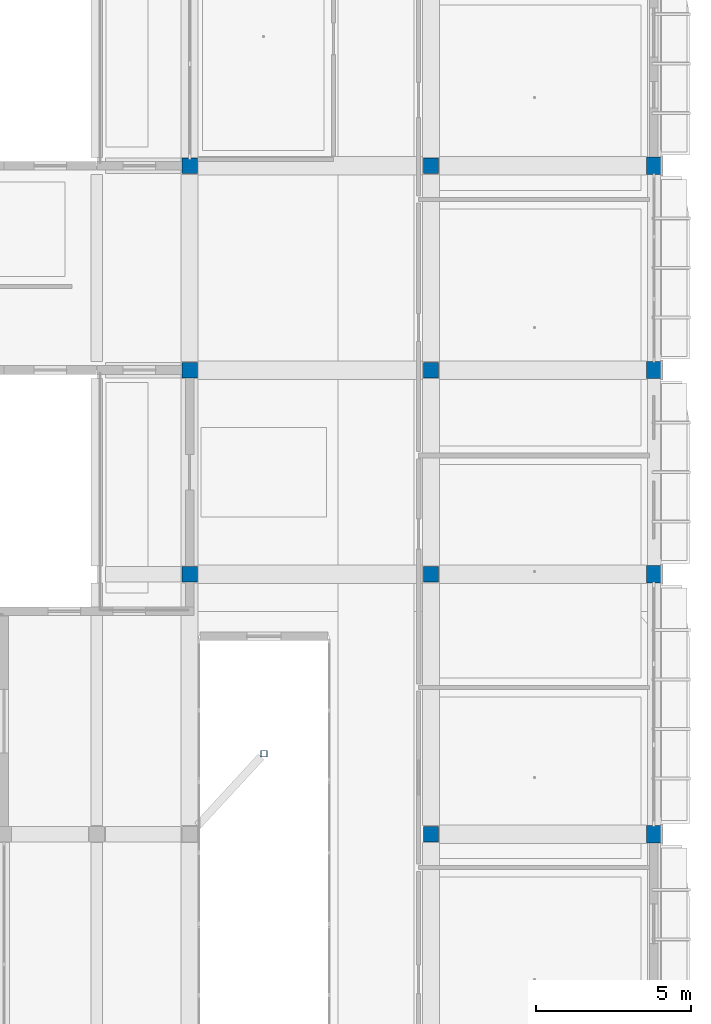
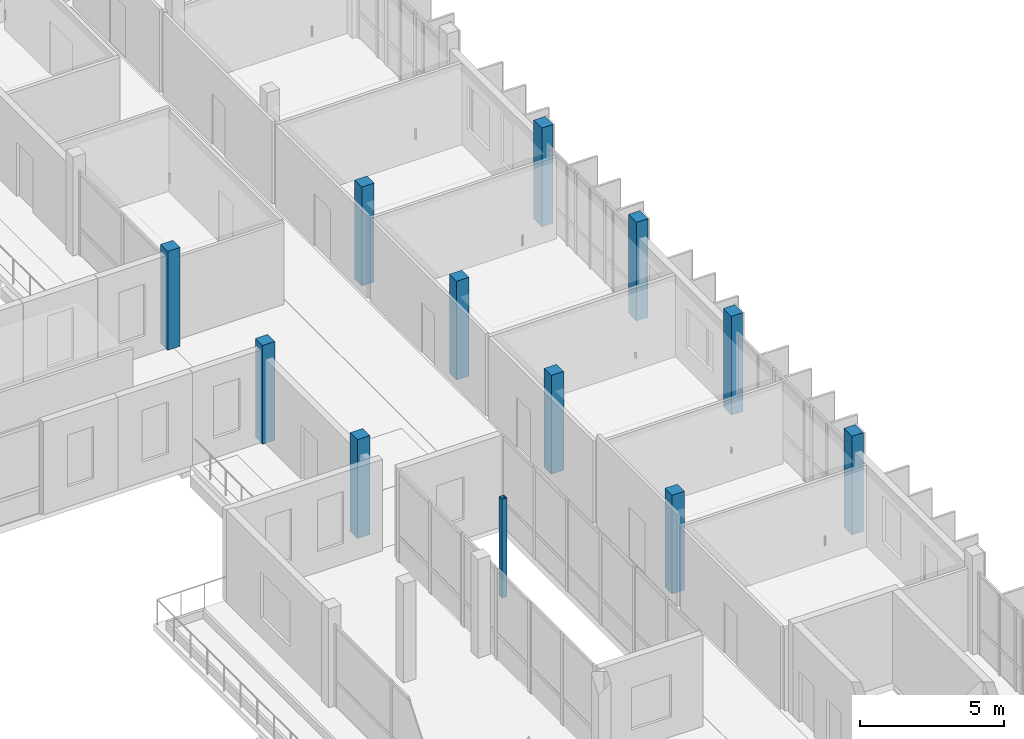
# One storey, part 5 of 85: 12 columns.
"""IFC4 building model written with IfcOpenShell, lengths in metres."""

from ifc_helpers import new_model, si_unit, derived_unit, direction, frame, origin, origin_2d, place, context, subcontext, project, spatial, rectangle, hollow_rectangle, extrude, material, material_profile, profile_set, type_object, element, save


model = new_model("IFC4")

# Units and contexts
model_context = context("Model", 3, precision=1e-05, world=origin(), true_north=direction((0.0, 1.0)))
body_context = subcontext(model_context, "Body", "Model", "MODEL_VIEW")
ifc_project = project(units=[si_unit("LENGTHUNIT", "METRE"), si_unit("AREAUNIT", "SQUARE_METRE"), si_unit("VOLUMEUNIT", "CUBIC_METRE"), si_unit("PLANEANGLEUNIT", "RADIAN"), si_unit("MASSUNIT", "GRAM", prefix="KILO"), derived_unit("THERMALTRANSMITTANCEUNIT", [(si_unit("POWERUNIT", "WATT"), 1), (si_unit("LENGTHUNIT", "METRE"), -2), (si_unit("THERMODYNAMICTEMPERATUREUNIT", "KELVIN"), -1)])], contexts=[model_context])

# Site, building, storey
site_placement = place(None, origin())
site = spatial("IfcSite", under=ifc_project, at=site_placement, CompositionType="ELEMENT")
building_placement = place(site_placement, origin())
building = spatial("IfcBuilding", under=site, at=building_placement, Name="Braskholm Square Health Centre", CompositionType="ELEMENT")
storey_placement = place(building_placement, frame((0.0, 0.0, 9.300048828125)))
storey = spatial("IfcBuildingStorey", under=building, at=storey_placement, Name="L03", CompositionType="ELEMENT", Elevation=9.300048828125)

# Columns
ifc_material_1 = material(Name="Concrete C40/50 (f'c = 40 MPa)", Category="concrete")
ifc_material_profile_1 = material_profile(ifc_material_1, rectangle(XDim=0.5, YDim=0.5, at=origin_2d()), Name="RC-500X500")
ifc_profile_set_1 = profile_set([ifc_material_profile_1], Name="Concrete C40/50 (f'c = 40 MPa)")
column_type_1 = type_object("IfcColumnType", Name="ColInteriorUpper500", PredefinedType="COLUMN", material=ifc_profile_set_1)
for number, where, z_axis, x_axis, name in (
    (1, (148.800048828125, 80.60009765625, 0.0), (0.0, 0.0, 1.0), (1.0, 0.0, 0.0), "Column 20/M L03"),
    (2, (148.800048828125, 87.199951171875, 0.0), (0.0, 0.0, 1.0), (1.0, 0.0, 0.0), "Column 20/N L03"),
    (3, (148.800048828125, 93.800048828125, 0.0), (0.0, 0.0, 1.0), (1.0, 0.0, 0.0), "Column 20/P L03"),
    (4, (156.60009765625, 72.199951171875, 0.0), (0.0, 0.0, 1.0), (1.0, 0.0, 0.0), "Column 21/L L03"),
    (5, (156.60009765625, 80.60009765625, 0.0), (0.0, 0.0, 1.0), (1.0, 0.0, 0.0), "Column 21/M L03"),
    (6, (156.60009765625, 87.199951171875, 0.0), (0.0, 0.0, 1.0), (1.0, 0.0, 0.0), "Column 21/N L03"),
    (7, (156.60009765625, 93.800048828125, 0.0), (0.0, 0.0, 1.0), (1.0, 0.0, 0.0), "Column 21/P L03"),
):
    element("IfcColumn", number, at=place(storey_placement, frame(where, z_axis=z_axis, x_axis=x_axis)), inside=storey, type_object=column_type_1, Name=name, PredefinedType="COLUMN", context=body_context, shape_type="SweptSolid", body=[
        extrude(rectangle(XDim=0.5, YDim=0.5, at=origin_2d()), origin(), (0.0, 0.0, 1.0), 4.199951171875),
    ])
ifc_material_2 = material(Name="Precast concrete C40/50 architectural white", Category="concrete")
ifc_material_profile_2 = material_profile(ifc_material_2, rectangle(XDim=0.4599609375, YDim=0.56005859375, at=origin_2d()), Name="RC-460X560")
ifc_profile_set_2 = profile_set([ifc_material_profile_2], Name="Precast concrete C40/50 architectural white")
column_type_2 = type_object("IfcColumnType", Name="ColPrecastFrame460x560", PredefinedType="COLUMN", material=ifc_profile_set_2)
for number, where, z_axis, x_axis, name in (
    (8, (163.800048828125, 72.199951171875, 0.0), (0.0, 0.0, 1.0), (1.0, 0.0, 0.0), "Column 22/L L03"),
    (9, (163.800048828125, 80.60009765625, 0.0), (0.0, 0.0, 1.0), (1.0, 0.0, 0.0), "Column 22/M L03"),
    (10, (163.800048828125, 87.199951171875, 0.0), (0.0, 0.0, 1.0), (1.0, 0.0, 0.0), "Column 22/N L03"),
    (11, (163.800048828125, 93.800048828125, 0.0), (0.0, 0.0, 1.0), (1.0, 0.0, 0.0), "Column 22/P L03"),
):
    element("IfcColumn", number, at=place(storey_placement, frame(where, z_axis=z_axis, x_axis=x_axis)), inside=storey, type_object=column_type_2, Name=name, PredefinedType="COLUMN", context=body_context, shape_type="SweptSolid", body=[
        extrude(rectangle(XDim=0.4599609375, YDim=0.56005859375, at=origin_2d()), origin(), (0.0, 0.0, 1.0), 4.199951171875),
    ])
ifc_material_3 = material(Name="Steel ASTM A500 Grade C", Category="steel")
ifc_material_profile_3 = material_profile(ifc_material_3, hollow_rectangle(XDim=0.203125, YDim=0.203125, WallThickness=0.0087890625, at=origin_2d()), Name="HSS8X8X3/8")
ifc_profile_set_3 = profile_set([ifc_material_profile_3], Name="Steel ASTM A500 Grade C")
column_type_3 = type_object("IfcColumnType", Name="ColSteelPorchHSS8", PredefinedType="COLUMN", material=ifc_profile_set_3)
column_placement = place(storey_placement, frame((151.199951171875, 74.800048828125, 0.0), z_axis=(0.0, 0.0, 1.0), x_axis=(1.0, 0.0, 0.0)))
element("IfcColumn", 12, at=column_placement, inside=storey, type_object=column_type_3, Name="Column CS3F L03", PredefinedType="COLUMN", context=body_context, shape_type="SweptSolid", body=[
    extrude(hollow_rectangle(XDim=0.203125, YDim=0.203125, WallThickness=0.0087890625, at=origin_2d()), origin(), (0.0, 0.0, 1.0), 4.199951171875),
])

save(model, "model.ifc")
